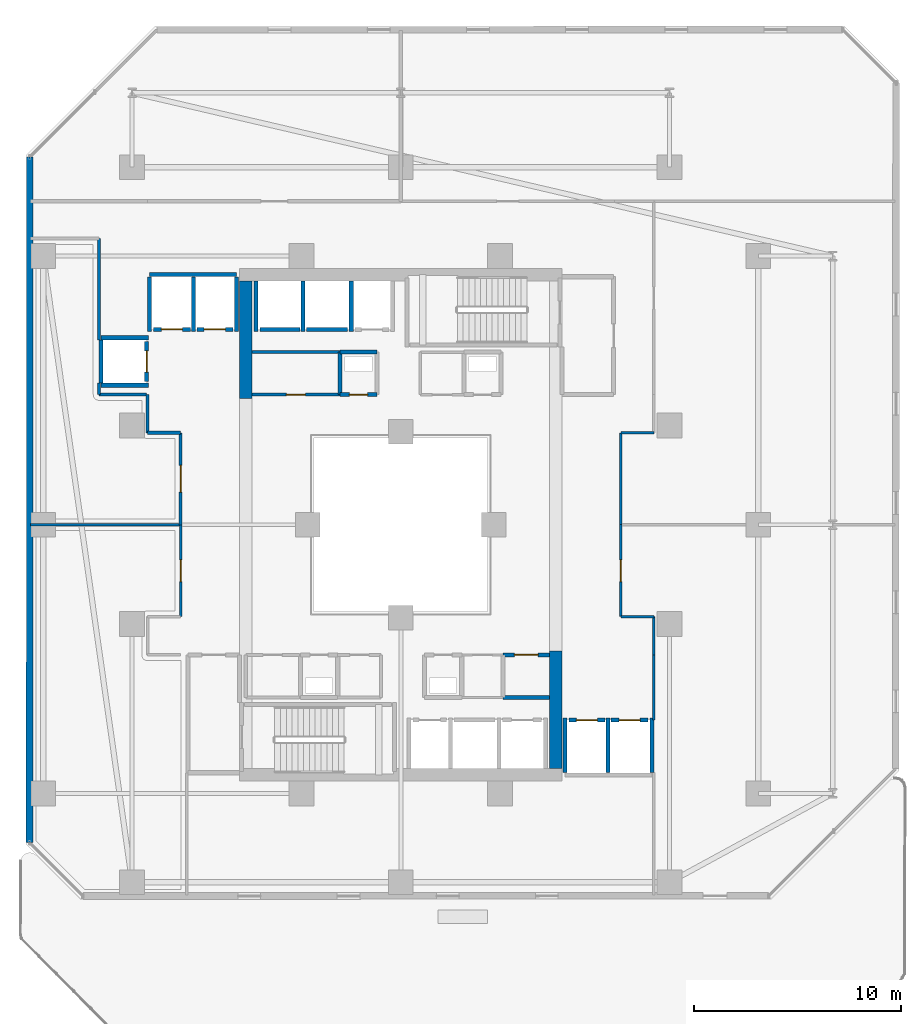
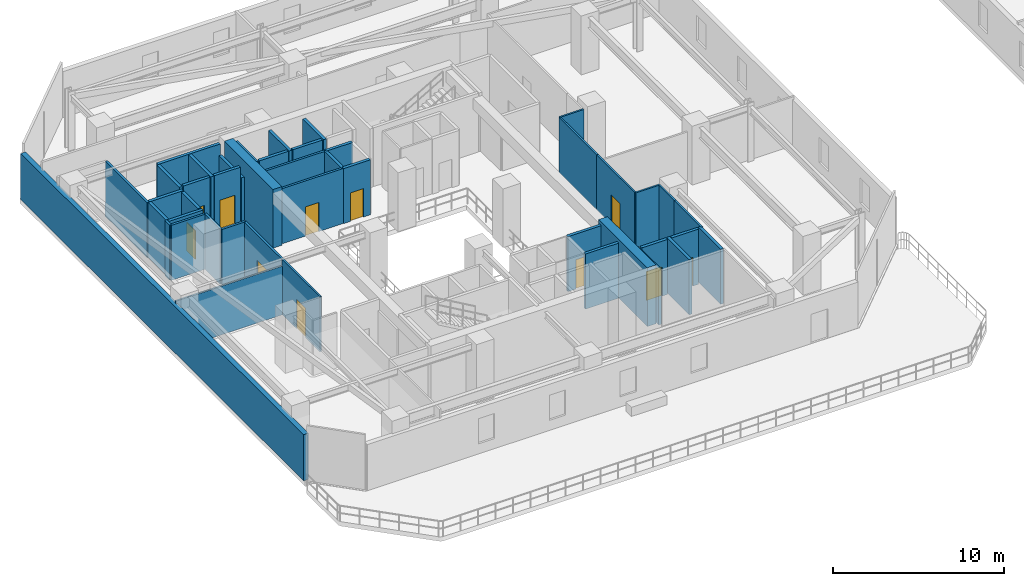
# One storey, part 17 of 30: 44 walls, 11 doors, 11 openings.
"""IFC4 building model written with IfcOpenShell, lengths in metres."""

from ifc_helpers import new_model, si_unit, direction, frame, frame_2d, origin, place, context, subcontext, project, spatial, rectangle, extrude, material, layer, layer_set, type_object, element, fill, save


model = new_model("IFC4")

# Units and contexts
model_context = context("Model", 3, precision=1e-05, world=origin(), true_north=direction((0.0, 1.0)))
body_context = subcontext(model_context, "Body", "Model", "MODEL_VIEW")
ifc_project = project(units=[si_unit("LENGTHUNIT", "METRE"), si_unit("AREAUNIT", "SQUARE_METRE"), si_unit("VOLUMEUNIT", "CUBIC_METRE"), si_unit("PLANEANGLEUNIT", "RADIAN"), si_unit("MASSUNIT", "GRAM", prefix="KILO")], contexts=[model_context])

# Site, building, storey
site_placement = place(None, origin())
site = spatial("IfcSite", under=ifc_project, at=site_placement, CompositionType="ELEMENT")
building_placement = place(site_placement, origin())
building = spatial("IfcBuilding", under=site, at=building_placement, Name="Thornwick Lancets Civic Towers", CompositionType="ELEMENT")
storey_placement = place(building_placement, frame((0.0, 0.0, 75.89990234375)))
storey = spatial("IfcBuildingStorey", under=building, at=storey_placement, Name="L19", CompositionType="ELEMENT", Elevation=75.89990234375)

# Wall, opening, door
ifc_material_1 = material(Name="Concrete blockwork C40/50", Category="masonry")
ifc_layer_1 = layer(ifc_material_1, 0.199951171875, Name="Concrete blockwork C40/50")
ifc_layer_set_1 = layer_set([ifc_layer_1], Name="Concrete blockwork C40/50")
wall_type_1 = type_object("IfcWallType", Name="WALL_COMP_200", PredefinedType="STANDARD", material=ifc_layer_set_1)
wall_1_placement = place(storey_placement, frame((33.6298828125, 17.550048828125, 0.0), z_axis=(0.0, 0.0, 1.0), x_axis=(1.0, 0.0, 0.0)))
wall_1 = element("IfcWall", 1, at=wall_1_placement, inside=storey, type_object=wall_type_1, Name="L19 Hoistway Front Wall PL-AL2", PredefinedType="STANDARD", context=body_context, shape_type="SweptSolid", body=[
    extrude(rectangle(XDim=1.740234375, YDim=0.199951171875, at=frame_2d((0.8701171875, 0.0))), origin(), (0.0, 0.0, 1.0), 3.940185546875),
])
opening_1_placement = place(wall_1_placement, frame((0.360107421875, 0.0, 0.0)))
opening_1 = element("IfcOpeningElement", 2, at=opening_1_placement, cuts=wall_1, Name="Opening LD-PL-AL2", PredefinedType="OPENING", context=body_context, shape_type="SweptSolid", body=[
    extrude(rectangle(XDim=1.02001953125, YDim=2.06005859375, at=frame_2d((0.510009765625, 1.030029296875))), frame((0.0, 0.10986328125, 0.0), z_axis=(0.0, -1.0, 0.0), x_axis=(1.0, 0.0, 0.0)), (0.0, 0.0, 1.0), 0.219970703125),
])
ifc_material_2 = material(Name="Brushed bronze stainless steel", Category="steel")
door_type_1 = type_object("IfcDoorType", Name="DOOR_LIFT_SLIDE", OperationType="SLIDING_TO_LEFT", PredefinedType="DOOR", material=ifc_material_2)
door_1_placement = place(opening_1_placement, origin())
door_1 = element("IfcDoor", 3, at=door_1_placement, inside=storey, type_object=door_type_1, Name="L19 Sliding Lift Landing Door LD-PL-AL2", OperationType="SLIDING_TO_LEFT", OverallHeight=2.06005859375, OverallWidth=1.02001953125, PredefinedType="DOOR", context=body_context, shape_type="SweptSolid", body=[
    extrude(rectangle(XDim=1.02001953125, YDim=2.06005859375, at=frame_2d((0.510009765625, 1.030029296875))), frame((0.0, 0.02490234375, 0.0), z_axis=(0.0, -1.0, 0.0), x_axis=(1.0, 0.0, 0.0)), (0.0, 0.0, 1.0), 0.050048828125),
])
fill(opening_1, door_1)

wall_2_placement = place(storey_placement, frame((35.679931640625, 17.550048828125, 0.0), z_axis=(0.0, 0.0, 1.0), x_axis=(1.0, 0.0, 0.0)))
wall_2 = element("IfcWall", 4, at=wall_2_placement, inside=storey, type_object=wall_type_1, Name="L19 Hoistway Front Wall PL-AL3", PredefinedType="STANDARD", context=body_context, shape_type="SweptSolid", body=[
    extrude(rectangle(XDim=1.7900390625, YDim=0.199951171875, at=frame_2d((0.89501953125, 0.0))), origin(), (0.0, 0.0, 1.0), 3.940185546875),
])
opening_2_placement = place(wall_2_placement, frame((0.385009765625, 0.0, 0.0)))
opening_2 = element("IfcOpeningElement", 5, at=opening_2_placement, cuts=wall_2, Name="Opening LD-PL-AL3", PredefinedType="OPENING", context=body_context, shape_type="SweptSolid", body=[
    extrude(rectangle(XDim=1.02001953125, YDim=2.06005859375, at=frame_2d((0.510009765625, 1.030029296875))), frame((0.0, 0.10986328125, 0.0), z_axis=(0.0, -1.0, 0.0), x_axis=(1.0, 0.0, 0.0)), (0.0, 0.0, 1.0), 0.219970703125),
])
door_2_placement = place(opening_2_placement, origin())
door_2 = element("IfcDoor", 6, at=door_2_placement, inside=storey, type_object=door_type_1, Name="L19 Sliding Lift Landing Door LD-PL-AL3", OperationType="SLIDING_TO_LEFT", OverallHeight=2.06005859375, OverallWidth=1.02001953125, PredefinedType="DOOR", context=body_context, shape_type="SweptSolid", body=[
    extrude(rectangle(XDim=1.02001953125, YDim=2.06005859375, at=frame_2d((0.510009765625, 1.030029296875))), frame((0.0, 0.02490234375, 0.0), z_axis=(0.0, -1.0, 0.0), x_axis=(1.0, 0.0, 0.0)), (0.0, 0.0, 1.0), 0.050048828125),
])
fill(opening_2, door_2)

# Walls
wall_3_placement = place(storey_placement, frame((22.919921875, 36.449951171875, 0.0), z_axis=(0.0, 0.0, 1.0), x_axis=(-1.0, 0.0, 0.0)))
element("IfcWall", 7, at=wall_3_placement, inside=storey, type_object=wall_type_1, Name="L19 Hoistway Front Wall PL-AH2", PredefinedType="STANDARD", context=body_context, shape_type="SweptSolid", body=[
    extrude(rectangle(XDim=1.989990234375, YDim=0.199951171875, at=frame_2d((0.9951171875, 0.0))), origin(), (0.0, 0.0, 1.0), 3.940185546875),
])
wall_4_placement = place(storey_placement, frame((20.6201171875, 36.449951171875, 0.0), z_axis=(0.0, 0.0, 1.0), x_axis=(-1.0, 0.0, 0.0)))
element("IfcWall", 8, at=wall_4_placement, inside=storey, type_object=wall_type_1, Name="L19 Hoistway Front Wall PL-AH3", PredefinedType="STANDARD", context=body_context, shape_type="SweptSolid", body=[
    extrude(rectangle(XDim=1.940185546875, YDim=0.199951171875, at=frame_2d((0.97021484375, 0.0))), origin(), (0.0, 0.0, 1.0), 3.940185546875),
])

# Wall, opening, door
wall_5_placement = place(storey_placement, frame((17.3701171875, 36.449951171875, 0.0), z_axis=(0.0, 0.0, 1.0), x_axis=(-1.0, 0.0, 0.0)))
wall_5 = element("IfcWall", 9, at=wall_5_placement, inside=storey, type_object=wall_type_1, Name="L19 Hoistway Front Wall PL-AM1", PredefinedType="STANDARD", context=body_context, shape_type="SweptSolid", body=[
    extrude(rectangle(XDim=1.740234375, YDim=0.199951171875, at=frame_2d((0.8701171875, 0.0))), origin(), (0.0, 0.0, 1.0), 3.940185546875),
])
opening_3_placement = place(wall_5_placement, frame((0.360107421875, 0.0, 0.0)))
opening_3 = element("IfcOpeningElement", 10, at=opening_3_placement, cuts=wall_5, Name="Opening LD-PL-AM1", PredefinedType="OPENING", context=body_context, shape_type="SweptSolid", body=[
    extrude(rectangle(XDim=1.02001953125, YDim=2.06005859375, at=frame_2d((0.510009765625, 1.030029296875))), frame((0.0, 0.10986328125, 0.0), z_axis=(0.0, -1.0, 0.0), x_axis=(1.0, 0.0, 0.0)), (0.0, 0.0, 1.0), 0.219970703125),
])
door_3_placement = place(opening_3_placement, origin())
door_3 = element("IfcDoor", 11, at=door_3_placement, inside=storey, type_object=door_type_1, Name="L19 Sliding Lift Landing Door LD-PL-AM1", OperationType="SLIDING_TO_LEFT", OverallHeight=2.06005859375, OverallWidth=1.02001953125, PredefinedType="DOOR", context=body_context, shape_type="SweptSolid", body=[
    extrude(rectangle(XDim=1.02001953125, YDim=2.06005859375, at=frame_2d((0.510009765625, 1.030029296875))), frame((0.0, 0.02490234375, 0.0), z_axis=(0.0, -1.0, 0.0), x_axis=(1.0, 0.0, 0.0)), (0.0, 0.0, 1.0), 0.050048828125),
])
fill(opening_3, door_3)

wall_6_placement = place(storey_placement, frame((15.320068359375, 36.449951171875, 0.0), z_axis=(0.0, 0.0, 1.0), x_axis=(-1.0, 0.0, 0.0)))
wall_6 = element("IfcWall", 12, at=wall_6_placement, inside=storey, type_object=wall_type_1, Name="L19 Hoistway Front Wall PL-AM2", PredefinedType="STANDARD", context=body_context, shape_type="SweptSolid", body=[
    extrude(rectangle(XDim=1.7900390625, YDim=0.199951171875, at=frame_2d((0.89501953125, 0.0))), origin(), (0.0, 0.0, 1.0), 3.940185546875),
])
opening_4_placement = place(wall_6_placement, frame((0.385009765625, 0.0, 0.0)))
opening_4 = element("IfcOpeningElement", 13, at=opening_4_placement, cuts=wall_6, Name="Opening LD-PL-AM2", PredefinedType="OPENING", context=body_context, shape_type="SweptSolid", body=[
    extrude(rectangle(XDim=1.02001953125, YDim=2.06005859375, at=frame_2d((0.510009765625, 1.030029296875))), frame((0.0, 0.10986328125, 0.0), z_axis=(0.0, -1.0, 0.0), x_axis=(1.0, 0.0, 0.0)), (0.0, 0.0, 1.0), 0.219970703125),
])
door_4_placement = place(opening_4_placement, origin())
door_4 = element("IfcDoor", 14, at=door_4_placement, inside=storey, type_object=door_type_1, Name="L19 Sliding Lift Landing Door LD-PL-AM2", OperationType="SLIDING_TO_LEFT", OverallHeight=2.06005859375, OverallWidth=1.02001953125, PredefinedType="DOOR", context=body_context, shape_type="SweptSolid", body=[
    extrude(rectangle(XDim=1.02001953125, YDim=2.06005859375, at=frame_2d((0.510009765625, 1.030029296875))), frame((0.0, 0.02490234375, 0.0), z_axis=(0.0, -1.0, 0.0), x_axis=(1.0, 0.0, 0.0)), (0.0, 0.0, 1.0), 0.050048828125),
])
fill(opening_4, door_4)

wall_7_placement = place(storey_placement, frame((13.199951171875, 33.929931640625, 0.0), z_axis=(0.0, 0.0, 1.0), x_axis=(0.0, 1.0, 0.0)))
wall_7 = element("IfcWall", 15, at=wall_7_placement, inside=storey, type_object=wall_type_1, Name="L19 Hoistway Front Wall PL-AM3", PredefinedType="STANDARD", context=body_context, shape_type="SweptSolid", body=[
    extrude(rectangle(XDim=1.940185546875, YDim=0.199951171875, at=frame_2d((0.97021484375, 0.0))), origin(), (0.0, 0.0, 1.0), 3.940185546875),
])
opening_5_placement = place(wall_7_placement, frame((0.4599609375, 0.0, 0.0)))
opening_5 = element("IfcOpeningElement", 16, at=opening_5_placement, cuts=wall_7, Name="Opening LD-PL-AM3", PredefinedType="OPENING", context=body_context, shape_type="SweptSolid", body=[
    extrude(rectangle(XDim=1.02001953125, YDim=2.06005859375, at=frame_2d((0.510009765625, 1.030029296875))), frame((0.0, 0.10986328125, 0.0), z_axis=(0.0, -1.0, 0.0), x_axis=(1.0, 0.0, 0.0)), (0.0, 0.0, 1.0), 0.219970703125),
])
door_5_placement = place(opening_5_placement, origin())
door_5 = element("IfcDoor", 17, at=door_5_placement, inside=storey, type_object=door_type_1, Name="L19 Sliding Lift Landing Door LD-PL-AM3", OperationType="SLIDING_TO_LEFT", OverallHeight=2.06005859375, OverallWidth=1.02001953125, PredefinedType="DOOR", context=body_context, shape_type="SweptSolid", body=[
    extrude(rectangle(XDim=1.02001953125, YDim=2.06005859375, at=frame_2d((0.510009765625, 1.030029296875))), frame((0.0, 0.02490234375, 0.0), z_axis=(0.0, -1.0, 0.0), x_axis=(1.0, 0.0, 0.0)), (0.0, 0.0, 1.0), 0.050048828125),
])
fill(opening_5, door_5)

# Walls
for number, where, z_axis, x_axis, name in (
    (18, (35.52490234375, 15.011962890625, 0.0), (0.0, 0.0, 1.0), (0.0, 1.0, 0.0), "L19 Hoistway Shaft Wall PL-AL2 E"),
    (19, (33.449951171875, 15.011962890625, 0.0), (0.0, 0.0, 1.0), (0.0, 1.0, 0.0), "L19 Hoistway Shaft Wall PL-AL2 W"),
    (20, (37.64990234375, 15.011962890625, 0.0), (0.0, 0.0, 1.0), (0.0, 1.0, 0.0), "L19 Hoistway Shaft Wall PL-AL3 E"),
):
    element("IfcWall", number, at=place(storey_placement, frame(where, z_axis=z_axis, x_axis=x_axis)), inside=storey, type_object=wall_type_1, Name=name, PredefinedType="STANDARD", context=body_context, shape_type="SweptSolid", body=[
        extrude(rectangle(XDim=2.635986328125, YDim=0.199951171875, at=frame_2d((1.31787109375, 0.0))), origin(), (0.0, 0.0, 1.0), 3.940185546875),
    ])
for number, where, z_axis, x_axis, name in (
    (21, (23.10009765625, 36.35205078125, 0.0), (0.0, 0.0, 1.0), (0.0, 1.0, 0.0), "L19 Hoistway Shaft Wall FL-A2 W"),
    (22, (20.77490234375, 36.35205078125, 0.0), (0.0, 0.0, 1.0), (0.0, 1.0, 0.0), "L19 Hoistway Shaft Wall PL-AH2 W"),
    (23, (18.5, 36.35205078125, 0.0), (0.0, 0.0, 1.0), (0.0, 1.0, 0.0), "L19 Hoistway Shaft Wall PL-AH3 W"),
):
    element("IfcWall", number, at=place(storey_placement, frame(where, z_axis=z_axis, x_axis=x_axis)), inside=storey, type_object=wall_type_1, Name=name, PredefinedType="STANDARD", context=body_context, shape_type="SweptSolid", body=[
        extrude(rectangle(XDim=2.43603515625, YDim=0.199951171875, at=frame_2d((1.218017578125, 0.0))), origin(), (0.0, 0.0, 1.0), 3.940185546875),
    ])
wall_8_placement = place(storey_placement, frame((13.35205078125, 39.10009765625, 0.0), z_axis=(0.0, 0.0, 1.0), x_axis=(1.0, 0.0, 0.0)))
element("IfcWall", 24, at=wall_8_placement, inside=storey, type_object=wall_type_1, Name="L19 Hoistway Shaft Wall PL-AM1 N", PredefinedType="STANDARD", context=body_context, shape_type="SweptSolid", body=[
    extrude(rectangle(XDim=4.196044921875, YDim=0.199951171875, at=frame_2d((2.09814453125, 0.0))), origin(), (0.0, 0.0, 1.0), 3.940185546875),
])
wall_9_placement = place(storey_placement, frame((17.550048828125, 36.35205078125, 0.0), z_axis=(0.0, 0.0, 1.0), x_axis=(0.0, 1.0, 0.0)))
element("IfcWall", 25, at=wall_9_placement, inside=storey, type_object=wall_type_1, Name="L19 Hoistway Shaft Wall PL-AM1 E", PredefinedType="STANDARD", context=body_context, shape_type="SweptSolid", body=[
    extrude(rectangle(XDim=2.635986328125, YDim=0.199951171875, at=frame_2d((1.31787109375, 0.0))), origin(), (0.0, 0.0, 1.0), 3.14501953125),
])
for number, where, z_axis, x_axis, name in (
    (26, (15.47509765625, 36.35205078125, 0.0), (0.0, 0.0, 1.0), (0.0, 1.0, 0.0), "L19 Hoistway Shaft Wall PL-AM1 W"),
    (27, (13.35009765625, 36.35205078125, 0.0), (0.0, 0.0, 1.0), (0.0, 1.0, 0.0), "L19 Hoistway Shaft Wall PL-AM2 W"),
):
    element("IfcWall", number, at=place(storey_placement, frame(where, z_axis=z_axis, x_axis=x_axis)), inside=storey, type_object=wall_type_1, Name=name, PredefinedType="STANDARD", context=body_context, shape_type="SweptSolid", body=[
        extrude(rectangle(XDim=2.635986328125, YDim=0.199951171875, at=frame_2d((1.31787109375, 0.0))), origin(), (0.0, 0.0, 1.0), 3.940185546875),
    ])
for number, where, z_axis, x_axis, name in (
    (28, (11.001953125, 36.050048828125, 0.0), (0.0, 0.0, 1.0), (1.0, 0.0, 0.0), "L19 Hoistway Shaft Wall PL-AM3 N"),
    (29, (11.001953125, 33.75, 0.0), (0.0, 0.0, 1.0), (1.0, 0.0, 0.0), "L19 Hoistway Shaft Wall PL-AM3 S"),
):
    element("IfcWall", number, at=place(storey_placement, frame(where, z_axis=z_axis, x_axis=x_axis)), inside=storey, type_object=wall_type_1, Name=name, PredefinedType="STANDARD", context=body_context, shape_type="SweptSolid", body=[
        extrude(rectangle(XDim=2.296142578125, YDim=0.199951171875, at=frame_2d((1.14794921875, 0.0))), origin(), (0.0, 0.0, 1.0), 3.940185546875),
    ])
wall_10_placement = place(storey_placement, frame((11.0, 33.862060546875, 0.0), z_axis=(0.0, 0.0, 1.0), x_axis=(0.0, 1.0, 0.0)))
element("IfcWall", 30, at=wall_10_placement, inside=storey, type_object=wall_type_1, Name="L19 Hoistway Shaft Wall PL-AM3 W", PredefinedType="STANDARD", context=body_context, shape_type="SweptSolid", body=[
    extrude(rectangle(XDim=2.075927734375, YDim=0.199951171875, at=frame_2d((1.0380859375, 0.0))), origin(), (0.0, 0.0, 1.0), 3.940185546875),
])

# Wall, opening, door
wall_11_placement = place(storey_placement, frame((22.550048828125, 33.300048828125, 0.0), z_axis=(0.0, 0.0, 1.0), x_axis=(1.0, 0.0, 0.0)))
wall_11 = element("IfcWall", 31, at=wall_11_placement, inside=storey, type_object=wall_type_1, Name="L19 Partition L19-A-DUCT2 E1", PredefinedType="STANDARD", context=body_context, shape_type="SweptSolid", body=[
    extrude(rectangle(XDim=1.800048828125, YDim=0.199951171875, at=frame_2d((0.89990234375, 0.0))), origin(), (0.0, 0.0, 1.0), 3.940185546875),
])
opening_6_placement = place(wall_11_placement, frame((0.4599609375, 0.0, 0.0)))
opening_6 = element("IfcOpeningElement", 32, at=opening_6_placement, cuts=wall_11, Name="Opening D-L19-0895", PredefinedType="OPENING", context=body_context, shape_type="SweptSolid", body=[
    extrude(rectangle(XDim=0.8798828125, YDim=2.0400390625, at=frame_2d((0.43994140625, 1.02001953125))), frame((0.0, 0.10986328125, 0.0), z_axis=(0.0, -1.0, 0.0), x_axis=(1.0, 0.0, 0.0)), (0.0, 0.0, 1.0), 0.219970703125),
])
ifc_material_3 = material(Name="Steel riser access doorset", Category="steel")
door_type_2 = type_object("IfcDoorType", Name="DOOR_RISER_850", OperationType="NOTDEFINED", PredefinedType="DOOR", material=ifc_material_3)
door_6_placement = place(opening_6_placement, origin())
door_6 = element("IfcDoor", 33, at=door_6_placement, inside=storey, type_object=door_type_2, Name="L19 North Service Duct 2 Door", OperationType="SINGLE_SWING_RIGHT", OverallHeight=2.0400390625, OverallWidth=0.8798828125, PredefinedType="DOOR", context=body_context, shape_type="SweptSolid", body=[
    extrude(rectangle(XDim=0.8798828125, YDim=2.0400390625, at=frame_2d((0.43994140625, 1.02001953125))), frame((0.0, 0.02490234375, 0.0), z_axis=(0.0, -1.0, 0.0), x_axis=(1.0, 0.0, 0.0)), (0.0, 0.0, 1.0), 0.050048828125),
])
fill(opening_6, door_6)

# Walls
wall_12_placement = place(storey_placement, frame((24.35009765625, 35.35009765625, 0.0), z_axis=(0.0, 0.0, 1.0), x_axis=(-1.0, 0.0, 0.0)))
element("IfcWall", 34, at=wall_12_placement, inside=storey, type_object=wall_type_1, Name="L19 Partition L19-A-DUCT2 E3", PredefinedType="STANDARD", context=body_context, shape_type="SweptSolid", body=[
    extrude(rectangle(XDim=1.800048828125, YDim=0.199951171875, at=frame_2d((0.89990234375, 0.0))), origin(), (0.0, 0.0, 1.0), 3.940185546875),
])
wall_13_placement = place(storey_placement, frame((22.550048828125, 35.35009765625, 0.0), z_axis=(0.0, 0.0, 1.0), x_axis=(0.0, -1.0, 0.0)))
element("IfcWall", 35, at=wall_13_placement, inside=storey, type_object=wall_type_1, Name="L19 Partition L19-A-DUCT2 E4", PredefinedType="STANDARD", context=body_context, shape_type="SweptSolid", body=[
    extrude(rectangle(XDim=2.050048828125, YDim=0.199951171875, at=frame_2d((1.02490234375, 0.0))), origin(), (0.0, 0.0, 1.0), 3.940185546875),
])
wall_14_placement = place(storey_placement, frame((32.699951171875, 18.64990234375, 0.0), z_axis=(0.0, 0.0, 1.0), x_axis=(-1.0, 0.0, 0.0)))
element("IfcWall", 36, at=wall_14_placement, inside=storey, type_object=wall_type_1, Name="L19 Partition L19-A-ITR2 E2", PredefinedType="STANDARD", context=body_context, shape_type="SweptSolid", body=[
    extrude(rectangle(XDim=2.25, YDim=0.199951171875, at=frame_2d((1.125, 0.0))), origin(), (0.0, 0.0, 1.0), 3.940185546875),
])

# Wall, opening, door
wall_15_placement = place(storey_placement, frame((30.449951171875, 20.699951171875, 0.0), z_axis=(0.0, 0.0, 1.0), x_axis=(1.0, 0.0, 0.0)))
wall_15 = element("IfcWall", 37, at=wall_15_placement, inside=storey, type_object=wall_type_1, Name="L19 Partition L19-A-ITR2 E4", PredefinedType="STANDARD", context=body_context, shape_type="SweptSolid", body=[
    extrude(rectangle(XDim=2.25, YDim=0.199951171875, at=frame_2d((1.125, 0.0))), origin(), (0.0, 0.0, 1.0), 3.940185546875),
])
opening_7_placement = place(wall_15_placement, frame((0.550048828125, 0.0, 0.0)))
opening_7 = element("IfcOpeningElement", 38, at=opening_7_placement, cuts=wall_15, Name="Opening D-L19-0900", PredefinedType="OPENING", context=body_context, shape_type="SweptSolid", body=[
    extrude(rectangle(XDim=1.14990234375, YDim=2.10009765625, at=frame_2d((0.574951171875, 1.050048828125))), frame((0.0, 0.10986328125, 0.0), z_axis=(0.0, -1.0, 0.0), x_axis=(1.0, 0.0, 0.0)), (0.0, 0.0, 1.0), 0.219970703125),
])
ifc_material_4 = material(Name="Glazed fire-resisting steel", Category="steel")
door_type_3 = type_object("IfcDoorType", Name="DOOR_LOBBY_FD60", OperationType="NOTDEFINED", PredefinedType="DOOR", material=ifc_material_4)
door_7_placement = place(opening_7_placement, origin())
door_7 = element("IfcDoor", 39, at=door_7_placement, inside=storey, type_object=door_type_3, Name="L19 Tower A Statutory Core Archive Door", OperationType="SINGLE_SWING_LEFT", OverallHeight=2.10009765625, OverallWidth=1.14990234375, PredefinedType="DOOR", context=body_context, shape_type="SweptSolid", body=[
    extrude(rectangle(XDim=1.14990234375, YDim=2.10009765625, at=frame_2d((0.574951171875, 1.050048828125))), frame((0.0, 0.02490234375, 0.0), z_axis=(0.0, -1.0, 0.0), x_axis=(1.0, 0.0, 0.0)), (0.0, 0.0, 1.0), 0.050048828125),
])
fill(opening_7, door_7)

# Walls
ifc_material_5 = material(Name="Concrete C60/75", Category="concrete")
ifc_layer_2 = layer(ifc_material_5, 0.60009765625, Name="Concrete C60/75")
ifc_layer_set_2 = layer_set([ifc_layer_2], Name="Concrete C60/75")
wall_type_2 = type_object("IfcWallType", Name="WALL_CORE_600", PredefinedType="SHEAR", material=ifc_layer_set_2)
for number, where, z_axis, x_axis, name in (
    (40, (33.0, 15.199951171875, 0.0), (0.0, 0.0, 1.0), (0.0, 1.0, 0.0), "L19 Split Core A1 Shear Wall E"),
    (41, (18.0, 33.10009765625, 0.0), (0.0, 0.0, 1.0), (0.0, 1.0, 0.0), "L19 Split Core A2 Shear Wall W"),
):
    element("IfcWall", number, at=place(storey_placement, frame(where, z_axis=z_axis, x_axis=x_axis)), inside=storey, type_object=wall_type_2, Name=name, PredefinedType="SHEAR", context=body_context, shape_type="SweptSolid", body=[
        extrude(rectangle(XDim=5.699951171875, YDim=0.60009765625, at=frame_2d((2.85009765625, 0.0))), origin(), (0.0, 0.0, 1.0), 4.2001953125),
    ])
ifc_material_6 = material(Name="Insulated buff terracotta rainscreen on concrete C40/50", Category="masonry")
ifc_layer_3 = layer(ifc_material_6, 0.320068359375, Name="Insulated buff terracotta rainscreen on concrete C40/50")
ifc_layer_set_3 = layer_set([ifc_layer_3], Name="Insulated buff terracotta rainscreen on concrete C40/50")
wall_type_3 = type_object("IfcWallType", Name="WALL_EXT_TERRA_320", PredefinedType="STANDARD", material=ifc_layer_set_3)
wall_16_placement = place(storey_placement, frame((7.547119140625, 44.796142578125, 0.0), z_axis=(0.0, 0.0, 1.0), x_axis=(-0.000353213856, -0.99999993762, 0.0)))
element("IfcWall", 42, at=wall_16_placement, inside=storey, type_object=wall_type_3, Name="L19 Tower A Terracotta Facade Wall E6", PredefinedType="STANDARD", context=body_context, shape_type="SweptSolid", body=[
    extrude(rectangle(XDim=33.177490234375, YDim=0.320068359375, at=frame_2d((16.5888671875, 0.0))), origin(), (0.0, 0.0, 1.0), 3.300048828125),
])
ifc_material_7 = material(Name="Acoustic gypsum board partition")
ifc_layer_4 = layer(ifc_material_7, 0.1201171875, Name="Acoustic gypsum board partition")
ifc_layer_set_4 = layer_set([ifc_layer_4], Name="Acoustic gypsum board partition")
wall_type_4 = type_object("IfcWallType", Name="WALL_PART_120", PredefinedType="PARTITIONING", material=ifc_layer_set_4)
wall_17_placement = place(storey_placement, frame((7.580078125, 27.0, 0.0), z_axis=(0.0, 0.0, 1.0), x_axis=(1.0, 0.0, 0.0)))
element("IfcWall", 43, at=wall_17_placement, inside=storey, type_object=wall_type_4, Name="L19 Partition L19-A-W1 E2", PredefinedType="PARTITIONING", context=body_context, shape_type="SweptSolid", body=[
    extrude(rectangle(XDim=7.27001953125, YDim=0.1201171875, at=frame_2d((3.635009765625, 0.0))), origin(), (0.0, 0.0, 1.0), 3.481689453125),
])

# Wall, opening, door
wall_18_placement = place(storey_placement, frame((14.85009765625, 27.0, 0.0), z_axis=(0.0, 0.0, 1.0), x_axis=(0.0, -1.0, 0.0)))
wall_18 = element("IfcWall", 44, at=wall_18_placement, inside=storey, type_object=wall_type_4, Name="L19 Partition L19-A-W1 E3", PredefinedType="PARTITIONING", context=body_context, shape_type="SweptSolid", body=[
    extrude(rectangle(XDim=4.449951171875, YDim=0.1201171875, at=frame_2d((2.22509765625, 0.0))), origin(), (0.0, 0.0, 1.0), 3.940185546875),
])
opening_8_placement = place(wall_18_placement, frame((1.699951171875, 0.0, 0.0)))
opening_8 = element("IfcOpeningElement", 45, at=opening_8_placement, cuts=wall_18, Name="Opening D-L19-0915", PredefinedType="OPENING", context=body_context, shape_type="SweptSolid", body=[
    extrude(rectangle(XDim=1.050048828125, YDim=2.10009765625, at=frame_2d((0.52490234375, 1.050048828125))), frame((0.0, 0.070068359375, 0.0), z_axis=(0.0, -1.0, 0.0), x_axis=(1.0, 0.0, 0.0)), (0.0, 0.0, 1.0), 0.14013671875),
])
ifc_material_8 = material(Name="Glazed European oak executive doorset")
door_type_4 = type_object("IfcDoorType", Name="DOOR_OFFICE_1050", OperationType="NOTDEFINED", PredefinedType="DOOR", material=ifc_material_8)
door_8_placement = place(opening_8_placement, origin())
door_8 = element("IfcDoor", 46, at=door_8_placement, inside=storey, type_object=door_type_4, Name="L19 Tower A Ministry Directorate Office W1 Door", OperationType="SINGLE_SWING_RIGHT", OverallHeight=2.10009765625, OverallWidth=1.050048828125, PredefinedType="DOOR", context=body_context, shape_type="SweptSolid", body=[
    extrude(rectangle(XDim=1.050048828125, YDim=2.10009765625, at=frame_2d((0.52490234375, 1.050048828125))), frame((0.0, 0.02490234375, 0.0), z_axis=(0.0, -1.0, 0.0), x_axis=(1.0, 0.0, 0.0)), (0.0, 0.0, 1.0), 0.050048828125),
])
fill(opening_8, door_8)

# Walls
wall_19_placement = place(storey_placement, frame((37.75, 17.550048828125, 0.0), z_axis=(0.0, 0.0, 1.0), x_axis=(0.0, 1.0, 0.0)))
element("IfcWall", 47, at=wall_19_placement, inside=storey, type_object=wall_type_4, Name="L19 Partition L19-A-E1 E1", PredefinedType="PARTITIONING", context=body_context, shape_type="SweptSolid", body=[
    extrude(rectangle(XDim=3.14990234375, YDim=0.1201171875, at=frame_2d((1.574951171875, 0.0))), origin(), (0.0, 0.0, 1.0), 3.940185546875),
])
wall_20_placement = place(storey_placement, frame((37.75, 20.699951171875, 0.0), z_axis=(0.0, 0.0, 1.0), x_axis=(0.0, 1.0, 0.0)))
element("IfcWall", 48, at=wall_20_placement, inside=storey, type_object=wall_type_4, Name="L19 Partition L19-A-E1 E2", PredefinedType="PARTITIONING", context=body_context, shape_type="SweptSolid", body=[
    extrude(rectangle(XDim=1.85009765625, YDim=0.1201171875, at=frame_2d((0.925048828125, 0.0))), origin(), (0.0, 0.0, 1.0), 3.940185546875),
])
wall_21_placement = place(storey_placement, frame((37.75, 22.550048828125, 0.0), z_axis=(0.0, 0.0, 1.0), x_axis=(-1.0, 0.0, 0.0)))
element("IfcWall", 49, at=wall_21_placement, inside=storey, type_object=wall_type_4, Name="L19 Partition L19-A-E1 E3", PredefinedType="PARTITIONING", context=body_context, shape_type="SweptSolid", body=[
    extrude(rectangle(XDim=1.60009765625, YDim=0.1201171875, at=frame_2d((0.800048828125, 0.0))), origin(), (0.0, 0.0, 1.0), 3.940185546875),
])

# Wall, opening, door
wall_22_placement = place(storey_placement, frame((36.14990234375, 22.550048828125, 0.0), z_axis=(0.0, 0.0, 1.0), x_axis=(0.0, 1.0, 0.0)))
wall_22 = element("IfcWall", 50, at=wall_22_placement, inside=storey, type_object=wall_type_4, Name="L19 Partition L19-A-E1 E4", PredefinedType="PARTITIONING", context=body_context, shape_type="SweptSolid", body=[
    extrude(rectangle(XDim=4.449951171875, YDim=0.1201171875, at=frame_2d((2.22509765625, 0.0))), origin(), (0.0, 0.0, 1.0), 3.940185546875),
])
opening_9_placement = place(wall_22_placement, frame((1.699951171875, 0.0, 0.0)))
opening_9 = element("IfcOpeningElement", 51, at=opening_9_placement, cuts=wall_22, Name="Opening D-L19-0917", PredefinedType="OPENING", context=body_context, shape_type="SweptSolid", body=[
    extrude(rectangle(XDim=1.050048828125, YDim=2.10009765625, at=frame_2d((0.52490234375, 1.050048828125))), frame((0.0, 0.070068359375, 0.0), z_axis=(0.0, -1.0, 0.0), x_axis=(1.0, 0.0, 0.0)), (0.0, 0.0, 1.0), 0.14013671875),
])
door_9_placement = place(opening_9_placement, origin())
door_9 = element("IfcDoor", 52, at=door_9_placement, inside=storey, type_object=door_type_4, Name="L19 Tower A Secretariat Open Office E1 Door", OperationType="SINGLE_SWING_RIGHT", OverallHeight=2.10009765625, OverallWidth=1.050048828125, PredefinedType="DOOR", context=body_context, shape_type="SweptSolid", body=[
    extrude(rectangle(XDim=1.050048828125, YDim=2.10009765625, at=frame_2d((0.52490234375, 1.050048828125))), frame((0.0, 0.02490234375, 0.0), z_axis=(0.0, -1.0, 0.0), x_axis=(1.0, 0.0, 0.0)), (0.0, 0.0, 1.0), 0.050048828125),
])
fill(opening_9, door_9)

# Walls
wall_23_placement = place(storey_placement, frame((36.14990234375, 31.449951171875, 0.0), z_axis=(0.0, 0.0, 1.0), x_axis=(1.0, 0.0, 0.0)))
element("IfcWall", 53, at=wall_23_placement, inside=storey, type_object=wall_type_4, Name="L19 Partition L19-A-E2 E1", PredefinedType="PARTITIONING", context=body_context, shape_type="SweptSolid", body=[
    extrude(rectangle(XDim=1.60009765625, YDim=0.1201171875, at=frame_2d((0.800048828125, 0.0))), origin(), (0.0, 0.0, 1.0), 3.940185546875),
])
wall_24_placement = place(storey_placement, frame((36.14990234375, 27.0, 0.0), z_axis=(0.0, 0.0, 1.0), x_axis=(0.0, 1.0, 0.0)))
element("IfcWall", 54, at=wall_24_placement, inside=storey, type_object=wall_type_4, Name="L19 Partition L19-A-E2 E7", PredefinedType="PARTITIONING", context=body_context, shape_type="SweptSolid", body=[
    extrude(rectangle(XDim=4.449951171875, YDim=0.1201171875, at=frame_2d((2.22509765625, 0.0))), origin(), (0.0, 0.0, 1.0), 3.940185546875),
])
ifc_material_9 = material(Name="Twin-stud acoustic gypsum board")
ifc_layer_5 = layer(ifc_material_9, 0.14990234375, Name="Twin-stud acoustic gypsum board")
ifc_layer_set_5 = layer_set([ifc_layer_5], Name="Twin-stud acoustic gypsum board")
wall_type_5 = type_object("IfcWallType", Name="WALL_PART_150", PredefinedType="PARTITIONING", material=ifc_layer_set_5)
wall_25_placement = place(storey_placement, frame((18.300048828125, 35.35009765625, 0.0), z_axis=(0.0, 0.0, 1.0), x_axis=(1.0, 0.0, 0.0)))
element("IfcWall", 55, at=wall_25_placement, inside=storey, type_object=wall_type_5, Name="L19 Partition L19-A-FWC E2", PredefinedType="PARTITIONING", context=body_context, shape_type="SweptSolid", body=[
    extrude(rectangle(XDim=4.25, YDim=0.14990234375, at=frame_2d((2.125, 0.0))), origin(), (0.0, 0.0, 1.0), 3.940185546875),
])

# Wall, opening, door
wall_26_placement = place(storey_placement, frame((22.550048828125, 33.300048828125, 0.0), z_axis=(0.0, 0.0, 1.0), x_axis=(-1.0, 0.0, 0.0)))
wall_26 = element("IfcWall", 56, at=wall_26_placement, inside=storey, type_object=wall_type_5, Name="L19 Partition L19-A-FWC E4", PredefinedType="PARTITIONING", context=body_context, shape_type="SweptSolid", body=[
    extrude(rectangle(XDim=4.25, YDim=0.14990234375, at=frame_2d((2.125, 0.0))), origin(), (0.0, 0.0, 1.0), 3.940185546875),
])
opening_10_placement = place(wall_26_placement, frame((1.6650390625, 0.0, 0.0)))
opening_10 = element("IfcOpeningElement", 57, at=opening_10_placement, cuts=wall_26, Name="Opening D-L19-0901", PredefinedType="OPENING", context=body_context, shape_type="SweptSolid", body=[
    extrude(rectangle(XDim=0.919921875, YDim=2.080078125, at=frame_2d((0.4599609375, 1.0400390625))), frame((0.0, 0.0849609375, 0.0), z_axis=(0.0, -1.0, 0.0), x_axis=(1.0, 0.0, 0.0)), (0.0, 0.0, 1.0), 0.169921875),
])
ifc_material_10 = material(Name="Moisture-resistant oak doorset")
door_type_5 = type_object("IfcDoorType", Name="DOOR_WC_900", OperationType="NOTDEFINED", PredefinedType="DOOR", material=ifc_material_10)
door_10_placement = place(opening_10_placement, origin())
door_10 = element("IfcDoor", 58, at=door_10_placement, inside=storey, type_object=door_type_5, Name="L19 Tower A Female WC Door", OperationType="SINGLE_SWING_RIGHT", OverallHeight=2.080078125, OverallWidth=0.919921875, PredefinedType="DOOR", context=body_context, shape_type="SweptSolid", body=[
    extrude(rectangle(XDim=0.919921875, YDim=2.080078125, at=frame_2d((0.4599609375, 1.0400390625))), frame((0.0, 0.02490234375, 0.0), z_axis=(0.0, -1.0, 0.0), x_axis=(1.0, 0.0, 0.0)), (0.0, 0.0, 1.0), 0.050048828125),
])
fill(opening_10, door_10)

# Walls
wall_27_placement = place(storey_placement, frame((10.89990234375, 33.300048828125, 0.0), z_axis=(0.0, 0.0, 1.0), x_axis=(1.0, 0.0, 0.0)))
element("IfcWall", 59, at=wall_27_placement, inside=storey, type_object=wall_type_5, Name="L19 Partition L19-A-W2 E1", PredefinedType="PARTITIONING", context=body_context, shape_type="SweptSolid", body=[
    extrude(rectangle(XDim=2.300048828125, YDim=0.14990234375, at=frame_2d((1.14990234375, 0.0))), origin(), (0.0, 0.0, 1.0), 3.940185546875),
])
wall_28_placement = place(storey_placement, frame((13.25, 33.300048828125, 0.0), z_axis=(0.0, 0.0, 1.0), x_axis=(0.0, -1.0, 0.0)))
element("IfcWall", 60, at=wall_28_placement, inside=storey, type_object=wall_type_5, Name="L19 Partition L19-A-W2 E3", PredefinedType="PARTITIONING", context=body_context, shape_type="SweptSolid", body=[
    extrude(rectangle(XDim=1.85009765625, YDim=0.14990234375, at=frame_2d((0.925048828125, 0.0))), origin(), (0.0, 0.0, 1.0), 3.940185546875),
])
wall_29_placement = place(storey_placement, frame((13.25, 31.449951171875, 0.0), z_axis=(0.0, 0.0, 1.0), x_axis=(1.0, 0.0, 0.0)))
element("IfcWall", 61, at=wall_29_placement, inside=storey, type_object=wall_type_5, Name="L19 Partition L19-A-W2 E4", PredefinedType="PARTITIONING", context=body_context, shape_type="SweptSolid", body=[
    extrude(rectangle(XDim=1.60009765625, YDim=0.14990234375, at=frame_2d((0.800048828125, 0.0))), origin(), (0.0, 0.0, 1.0), 3.940185546875),
])

# Wall, opening, door
wall_30_placement = place(storey_placement, frame((14.85009765625, 31.449951171875, 0.0), z_axis=(0.0, 0.0, 1.0), x_axis=(0.0, -1.0, 0.0)))
wall_30 = element("IfcWall", 62, at=wall_30_placement, inside=storey, type_object=wall_type_5, Name="L19 Partition L19-A-W2 E5", PredefinedType="PARTITIONING", context=body_context, shape_type="SweptSolid", body=[
    extrude(rectangle(XDim=4.449951171875, YDim=0.14990234375, at=frame_2d((2.22509765625, 0.0))), origin(), (0.0, 0.0, 1.0), 3.940185546875),
])
opening_11_placement = place(wall_30_placement, frame((1.574951171875, 0.0, 0.0)))
opening_11 = element("IfcOpeningElement", 63, at=opening_11_placement, cuts=wall_30, Name="Opening D-L19-0916", PredefinedType="OPENING", context=body_context, shape_type="SweptSolid", body=[
    extrude(rectangle(XDim=1.300048828125, YDim=2.1201171875, at=frame_2d((0.64990234375, 1.06005859375))), frame((0.0, 0.0849609375, 0.0), z_axis=(0.0, -1.0, 0.0), x_axis=(1.0, 0.0, 0.0)), (0.0, 0.0, 1.0), 0.169921875),
])
ifc_material_11 = material(Name="Acoustic oak leaf-and-a-half doorset")
door_type_6 = type_object("IfcDoorType", Name="DOOR_MEET_1300", OperationType="DOUBLE_DOOR_SINGLE_SWING", PredefinedType="DOOR", material=ifc_material_11)
door_11_placement = place(opening_11_placement, origin())
door_11 = element("IfcDoor", 64, at=door_11_placement, inside=storey, type_object=door_type_6, Name="L19 Tower A Policy Briefing Room W2 Door", OperationType="DOUBLE_DOOR_SINGLE_SWING", OverallHeight=2.1201171875, OverallWidth=1.300048828125, PredefinedType="DOOR", context=body_context, shape_type="SweptSolid", body=[
    extrude(rectangle(XDim=1.300048828125, YDim=2.1201171875, at=frame_2d((0.64990234375, 1.06005859375))), frame((0.0, 0.02490234375, 0.0), z_axis=(0.0, -1.0, 0.0), x_axis=(1.0, 0.0, 0.0)), (0.0, 0.0, 1.0), 0.050048828125),
])
fill(opening_11, door_11)

# Walls
wall_31_placement = place(storey_placement, frame((10.89990234375, 40.85009765625, 0.0), z_axis=(0.0, 0.0, 1.0), x_axis=(0.0, -1.0, 0.0)))
element("IfcWall", 65, at=wall_31_placement, inside=storey, type_object=wall_type_5, Name="L19 Partition L19-A-W2 E9", PredefinedType="PARTITIONING", context=body_context, shape_type="SweptSolid", body=[
    extrude(rectangle(XDim=4.912109375, YDim=0.14990234375, at=frame_2d((2.4560546875, 0.0))), origin(), (0.0, 0.0, 1.0), 3.940185546875),
])
wall_32_placement = place(storey_placement, frame((10.89990234375, 33.862060546875, 0.0), z_axis=(0.0, 0.0, 1.0), x_axis=(0.0, -1.0, 0.0)))
element("IfcWall", 66, at=wall_32_placement, inside=storey, type_object=wall_type_5, Name="L19 Partition L19-A-W2 E9", PredefinedType="PARTITIONING", context=body_context, shape_type="SweptSolid", body=[
    extrude(rectangle(XDim=0.56201171875, YDim=0.14990234375, at=frame_2d((0.281005859375, 0.0))), origin(), (0.0, 0.0, 1.0), 3.940185546875),
])

save(model, "model.ifc")
